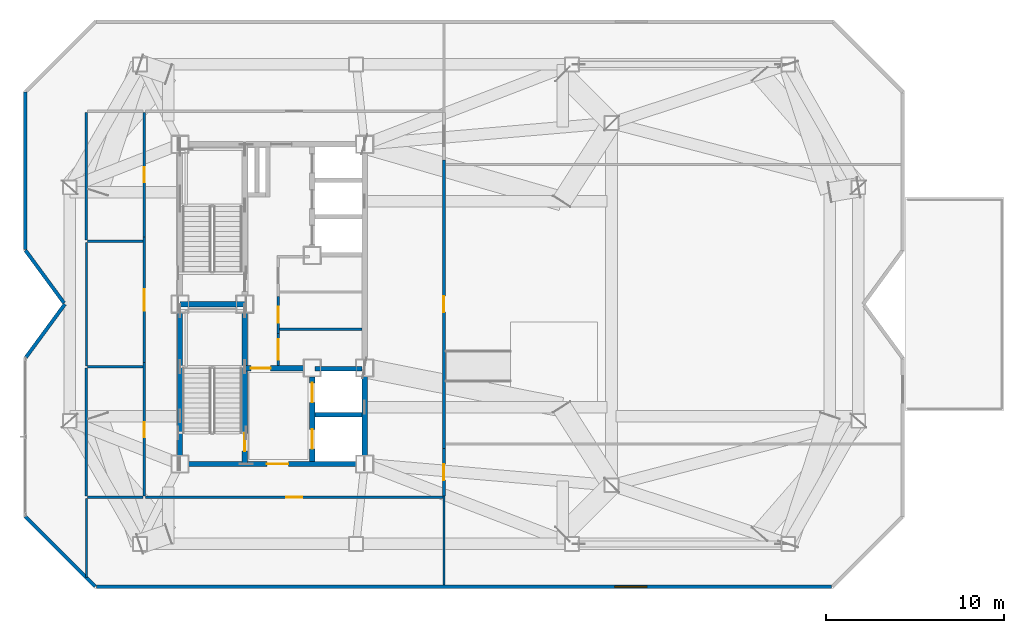
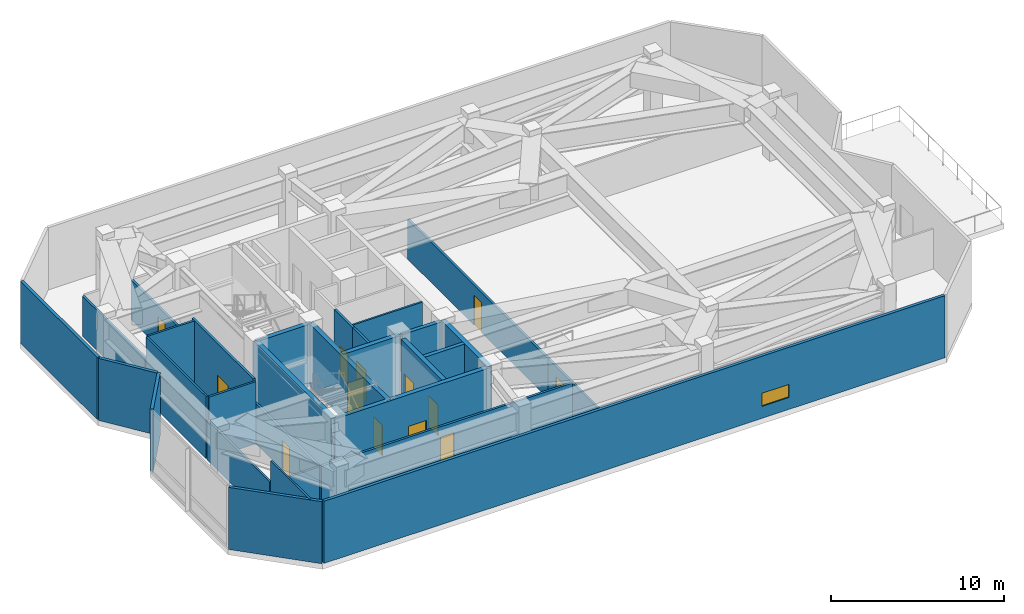
# One storey, part 7 of 11: 31 walls, 13 doors, 1 window, 14 openings.
"""IFC4 building model written with IfcOpenShell, lengths in metres."""

from ifc_helpers import new_model, si_unit, direction, frame, frame_2d, origin, place, context, subcontext, project, spatial, rectangle, extrude, material, layer, layer_set, type_object, element, fill, save


model = new_model("IFC4")

# Units and contexts
model_context = context("Model", 3, precision=1e-05, world=origin(), true_north=direction((0.0, 1.0)))
body_context = subcontext(model_context, "Body", "Model", "MODEL_VIEW")
ifc_project = project(units=[si_unit("LENGTHUNIT", "METRE"), si_unit("AREAUNIT", "SQUARE_METRE"), si_unit("VOLUMEUNIT", "CUBIC_METRE"), si_unit("PLANEANGLEUNIT", "RADIAN"), si_unit("MASSUNIT", "GRAM", prefix="KILO")], contexts=[model_context])

# Site, building, storey
site_placement = place(None, origin())
site = spatial("IfcSite", under=ifc_project, at=site_placement, CompositionType="ELEMENT")
building_placement = place(site_placement, origin())
building = spatial("IfcBuilding", under=site, at=building_placement, Name="Khamvora Tower", CompositionType="ELEMENT")
storey_placement = place(building_placement, frame((0.0, 0.0, 264.64990234375)))
storey = spatial("IfcBuildingStorey", under=building, at=storey_placement, Name="L68", CompositionType="ELEMENT", Elevation=264.64990234375)

# Wall
ifc_material_1 = material(Name="Concrete C50/60", Category="concrete")
ifc_layer_1 = layer(ifc_material_1, 0.300048828125)
ifc_layer_set_1 = layer_set([ifc_layer_1], Name="Concrete C50/60")
wall_type_1 = type_object("IfcWallType", Name="WAL-CORE-300", PredefinedType="SHEAR", material=ifc_layer_set_1)
wall_1_placement = place(storey_placement, frame((29.0, 19.0, 0.0), z_axis=(0.0, 0.0, 1.0), x_axis=(0.0, 1.0, 0.0)))
element("IfcWall", 1, at=wall_1_placement, inside=storey, type_object=wall_type_1, Name="L68 central core west south wall", PredefinedType="SHEAR", context=body_context, shape_type="SweptSolid", body=[
    extrude(rectangle(XDim=9.0, YDim=0.300048828125, at=frame_2d((4.5, 0.0))), origin(), (0.0, 0.0, 1.0), 4.380126953125),
])

# Wall, opening, door
wall_2_placement = place(storey_placement, frame((29.0, 19.0, 0.0), z_axis=(0.0, 0.0, 1.0), x_axis=(1.0, 0.0, 0.0)))
wall_2 = element("IfcWall", 2, at=wall_2_placement, inside=storey, type_object=wall_type_1, Name="L68 central core south wall", PredefinedType="SHEAR", context=body_context, shape_type="SweptSolid", body=[
    extrude(rectangle(XDim=10.39990234375, YDim=0.300048828125, at=frame_2d((5.199951171875, 0.0))), origin(), (0.0, 0.0, 1.0), 4.380126953125),
])
opening_1_placement = place(wall_2_placement, frame((4.89990234375, 0.0, 0.0)))
opening_1 = element("IfcOpeningElement", 3, at=opening_1_placement, cuts=wall_2, Name="Opening D-CR1", PredefinedType="OPENING", context=body_context, shape_type="SweptSolid", body=[
    extrude(rectangle(XDim=1.199951171875, YDim=2.14990234375, at=frame_2d((0.60009765625, 1.074951171875))), frame((0.0, 0.159912109375, 0.0), z_axis=(0.0, -1.0, 0.0), x_axis=(1.0, 0.0, 0.0)), (0.0, 0.0, 1.0), 0.320068359375),
])
ifc_material_2 = material(Name="Powder-Coated Steel and Hardwood Leaf", Category="steel")
door_type_1 = type_object("IfcDoorType", Name="DOR-CORR-1200", OperationType="NOTDEFINED", PredefinedType="DOOR", material=ifc_material_2)
door_1_placement = place(opening_1_placement, origin())
door_1 = element("IfcDoor", 4, at=door_1_placement, inside=storey, type_object=door_type_1, Name="L68 south core lobby to corridor fire door", OperationType="SINGLE_SWING_RIGHT", OverallHeight=2.14990234375, OverallWidth=1.199951171875, PredefinedType="DOOR", context=body_context, shape_type="SweptSolid", body=[
    extrude(rectangle(XDim=1.199951171875, YDim=2.14990234375, at=frame_2d((0.60009765625, 1.074951171875))), frame((0.0, 0.02490234375, 0.0), z_axis=(0.0, -1.0, 0.0), x_axis=(1.0, 0.0, 0.0)), (0.0, 0.0, 1.0), 0.050048828125),
])
fill(opening_1, door_1)

# Wall
wall_3_placement = place(storey_placement, frame((39.39990234375, 19.0, 0.0), z_axis=(0.0, 0.0, 1.0), x_axis=(0.0, 1.0, 0.0)))
element("IfcWall", 5, at=wall_3_placement, inside=storey, type_object=wall_type_1, Name="L68 central core east south wall", PredefinedType="SHEAR", context=body_context, shape_type="SweptSolid", body=[
    extrude(rectangle(XDim=5.39990234375, YDim=0.300048828125, at=frame_2d((2.699951171875, 0.0))), origin(), (0.0, 0.0, 1.0), 4.380126953125),
])

# Wall, opening, door
wall_4_placement = place(storey_placement, frame((32.64990234375, 19.0, 0.0), z_axis=(0.0, 0.0, 1.0), x_axis=(0.0, 1.0, 0.0)))
wall_4 = element("IfcWall", 6, at=wall_4_placement, inside=storey, type_object=wall_type_1, Name="L68 central core stair south spine wall", PredefinedType="SHEAR", context=body_context, shape_type="SweptSolid", body=[
    extrude(rectangle(XDim=9.0, YDim=0.300048828125, at=frame_2d((4.5, 0.0))), origin(), (0.0, 0.0, 1.0), 4.380126953125),
])
opening_2_placement = place(wall_4_placement, frame((0.719970703125, 0.0, 0.0)))
opening_2 = element("IfcOpeningElement", 7, at=opening_2_placement, cuts=wall_4, Name="Opening D-ST1", PredefinedType="OPENING", context=body_context, shape_type="SweptSolid", body=[
    extrude(rectangle(XDim=1.0, YDim=2.14990234375, at=frame_2d((0.5, 1.074951171875))), frame((0.0, 0.159912109375, 0.0), z_axis=(0.0, -1.0, 0.0), x_axis=(1.0, 0.0, 0.0)), (0.0, 0.0, 1.0), 0.320068359375),
])
door_type_2 = type_object("IfcDoorType", Name="DOR-STAIR-1000", OperationType="NOTDEFINED", PredefinedType="DOOR", material=ifc_material_2)
door_2_placement = place(opening_2_placement, origin())
door_2 = element("IfcDoor", 8, at=door_2_placement, inside=storey, type_object=door_type_2, Name="L68 exit stair ST-01 fire door", OperationType="SINGLE_SWING_RIGHT", OverallHeight=2.14990234375, OverallWidth=1.0, PredefinedType="DOOR", context=body_context, shape_type="SweptSolid", body=[
    extrude(rectangle(XDim=1.0, YDim=2.14990234375, at=frame_2d((0.5, 1.074951171875))), frame((0.0, 0.02490234375, 0.0), z_axis=(0.0, -1.0, 0.0), x_axis=(1.0, 0.0, 0.0)), (0.0, 0.0, 1.0), 0.050048828125),
])
fill(opening_2, door_2)

# Wall
wall_5_placement = place(storey_placement, frame((29.0, 28.0, 0.0), z_axis=(0.0, 0.0, 1.0), x_axis=(1.0, 0.0, 0.0)))
element("IfcWall", 9, at=wall_5_placement, inside=storey, type_object=wall_type_1, Name="L68 central core stair cross wall", PredefinedType="SHEAR", context=body_context, shape_type="SweptSolid", body=[
    extrude(rectangle(XDim=3.64990234375, YDim=0.300048828125, at=frame_2d((1.824951171875, 0.0))), origin(), (0.0, 0.0, 1.0), 4.380126953125),
])

# Wall, opening, door
wall_6_placement = place(storey_placement, frame((32.64990234375, 24.39990234375, 0.0), z_axis=(0.0, 0.0, 1.0), x_axis=(1.0, 0.0, 0.0)))
wall_6 = element("IfcWall", 10, at=wall_6_placement, inside=storey, type_object=wall_type_1, Name="L68 central core firefighting lobby north wall", PredefinedType="SHEAR", context=body_context, shape_type="SweptSolid", body=[
    extrude(rectangle(XDim=3.800048828125, YDim=0.300048828125, at=frame_2d((1.89990234375, 0.0))), origin(), (0.0, 0.0, 1.0), 4.380126953125),
])
opening_3_placement = place(wall_6_placement, frame((0.35009765625, 0.0, 0.0)))
opening_3 = element("IfcOpeningElement", 11, at=opening_3_placement, cuts=wall_6, Name="Opening D-FF1", PredefinedType="OPENING", context=body_context, shape_type="SweptSolid", body=[
    extrude(rectangle(XDim=1.10009765625, YDim=2.14990234375, at=frame_2d((0.550048828125, 1.074951171875))), frame((0.0, 0.159912109375, 0.0), z_axis=(0.0, -1.0, 0.0), x_axis=(1.0, 0.0, 0.0)), (0.0, 0.0, 1.0), 0.320068359375),
])
door_type_3 = type_object("IfcDoorType", Name="DOR-FFLOB-1100", OperationType="NOTDEFINED", PredefinedType="DOOR", material=ifc_material_2)
door_3_placement = place(opening_3_placement, origin())
door_3 = element("IfcDoor", 12, at=door_3_placement, inside=storey, type_object=door_type_3, Name="L68 firefighting lobby smoke-seal fire door", OperationType="SINGLE_SWING_LEFT", OverallHeight=2.14990234375, OverallWidth=1.10009765625, PredefinedType="DOOR", context=body_context, shape_type="SweptSolid", body=[
    extrude(rectangle(XDim=1.10009765625, YDim=2.14990234375, at=frame_2d((0.550048828125, 1.074951171875))), frame((0.0, 0.02490234375, 0.0), z_axis=(0.0, -1.0, 0.0), x_axis=(1.0, 0.0, 0.0)), (0.0, 0.0, 1.0), 0.050048828125),
])
fill(opening_3, door_3)

# Wall, openings, doors
wall_7_placement = place(storey_placement, frame((36.449951171875, 19.154052734375, 0.0), z_axis=(0.0, 0.0, 1.0), x_axis=(0.0, 1.0, 0.0)))
wall_7 = element("IfcWall", 13, at=wall_7_placement, inside=storey, type_object=wall_type_1, Name="L68 central core lift bank south wall", PredefinedType="SHEAR", context=body_context, shape_type="SweptSolid", body=[
    extrude(rectangle(XDim=4.745849609375, YDim=0.300048828125, at=frame_2d((2.373046875, 0.0))), origin(), (0.0, 0.0, 1.0), 4.380126953125),
])
opening_4_placement = place(wall_7_placement, frame((0.696044921875, 0.0, 0.0)))
opening_4 = element("IfcOpeningElement", 14, at=opening_4_placement, cuts=wall_7, Name="Opening LD-FFL", PredefinedType="OPENING", context=body_context, shape_type="SweptSolid", body=[
    extrude(rectangle(XDim=1.10009765625, YDim=2.14990234375, at=frame_2d((0.550048828125, 1.074951171875))), frame((0.0, 0.159912109375, 0.0), z_axis=(0.0, -1.0, 0.0), x_axis=(1.0, 0.0, 0.0)), (0.0, 0.0, 1.0), 0.320068359375),
])
opening_5_placement = place(wall_7_placement, frame((3.31591796875, 0.0, 0.0)))
opening_5 = element("IfcOpeningElement", 15, at=opening_5_placement, cuts=wall_7, Name="Opening LD-FFL", PredefinedType="OPENING", context=body_context, shape_type="SweptSolid", body=[
    extrude(rectangle(XDim=1.10009765625, YDim=2.14990234375, at=frame_2d((0.550048828125, 1.074951171875))), frame((0.0, 0.159912109375, 0.0), z_axis=(0.0, -1.0, 0.0), x_axis=(1.0, 0.0, 0.0)), (0.0, 0.0, 1.0), 0.320068359375),
])
door_type_4 = type_object("IfcDoorType", Name="DOR-LIFT-1100", OperationType="SLIDING_TO_LEFT", PredefinedType="DOOR", material=ifc_material_2)
door_4_placement = place(opening_4_placement, origin())
door_4 = element("IfcDoor", 16, at=door_4_placement, inside=storey, type_object=door_type_4, Name="L68 lift landing sliding door FFL-01", OperationType="SLIDING_TO_LEFT", OverallHeight=2.14990234375, OverallWidth=1.10009765625, PredefinedType="DOOR", context=body_context, shape_type="SweptSolid", body=[
    extrude(rectangle(XDim=1.10009765625, YDim=2.14990234375, at=frame_2d((0.550048828125, 1.074951171875))), frame((0.0, 0.02490234375, 0.0), z_axis=(0.0, -1.0, 0.0), x_axis=(1.0, 0.0, 0.0)), (0.0, 0.0, 1.0), 0.050048828125),
])
fill(opening_4, door_4)
door_5_placement = place(opening_5_placement, origin())
door_5 = element("IfcDoor", 17, at=door_5_placement, inside=storey, type_object=door_type_4, Name="L68 lift landing sliding door FFL-02", OperationType="SLIDING_TO_LEFT", OverallHeight=2.14990234375, OverallWidth=1.10009765625, PredefinedType="DOOR", context=body_context, shape_type="SweptSolid", body=[
    extrude(rectangle(XDim=1.10009765625, YDim=2.14990234375, at=frame_2d((0.550048828125, 1.074951171875))), frame((0.0, 0.02490234375, 0.0), z_axis=(0.0, -1.0, 0.0), x_axis=(1.0, 0.0, 0.0)), (0.0, 0.0, 1.0), 0.050048828125),
])
fill(opening_5, door_5)

# Wall, opening, door
ifc_material_3 = material(Name="Fire-Rated Drywall and Steel Stud", Category="steel")
ifc_layer_2 = layer(ifc_material_3, 0.14990234375)
ifc_layer_set_2 = layer_set([ifc_layer_2], Name="Fire-Rated Drywall and Steel Stud")
wall_type_2 = type_object("IfcWallType", Name="WAL-CORR-150", PredefinedType="STANDARD", material=ifc_layer_set_2)
wall_8_placement = place(storey_placement, frame((34.544921875, 28.43603515625, 0.0), z_axis=(0.0, 0.0, 1.0), x_axis=(0.0, -1.0, 0.0)))
wall_8 = element("IfcWall", 18, at=wall_8_placement, inside=storey, type_object=wall_type_2, Name="L68 interior partition wall 003", PredefinedType="STANDARD", context=body_context, shape_type="SweptSolid", body=[
    extrude(rectangle(XDim=2.10009765625, YDim=0.14990234375, at=frame_2d((1.050048828125, 0.0))), origin(), (0.0, 0.0, 1.0), 4.380126953125),
])
opening_6_placement = place(wall_8_placement, frame((0.5791015625, 0.0, 0.0)))
opening_6 = element("IfcOpeningElement", 19, at=opening_6_placement, cuts=wall_8, Name="Opening D-RM1", PredefinedType="OPENING", context=body_context, shape_type="SweptSolid", body=[
    extrude(rectangle(XDim=0.89990234375, YDim=2.10009765625, at=frame_2d((0.449951171875, 1.050048828125))), frame((0.0, 0.0849609375, 0.0), z_axis=(0.0, -1.0, 0.0), x_axis=(1.0, 0.0, 0.0)), (0.0, 0.0, 1.0), 0.169921875),
])
door_type_5 = type_object("IfcDoorType", Name="DOR-ROOM-900", OperationType="NOTDEFINED", PredefinedType="DOOR", material=ifc_material_2)
door_6_placement = place(opening_6_placement, origin())
door_6 = element("IfcDoor", 20, at=door_6_placement, inside=storey, type_object=door_type_5, Name="L68 interior door PHL-CS2", OperationType="SINGLE_SWING_LEFT", OverallHeight=2.10009765625, OverallWidth=0.89990234375, PredefinedType="DOOR", context=body_context, shape_type="SweptSolid", body=[
    extrude(rectangle(XDim=0.89990234375, YDim=2.10009765625, at=frame_2d((0.449951171875, 1.050048828125))), frame((0.0, 0.02490234375, 0.0), z_axis=(0.0, -1.0, 0.0), x_axis=(1.0, 0.0, 0.0)), (0.0, 0.0, 1.0), 0.050048828125),
])
fill(opening_6, door_6)

wall_9_placement = place(storey_placement, frame((34.544921875, 26.3359375, 0.0), z_axis=(0.0, 0.0, 1.0), x_axis=(0.0, -1.0, 0.0)))
wall_9 = element("IfcWall", 21, at=wall_9_placement, inside=storey, type_object=wall_type_2, Name="L68 interior partition wall 004", PredefinedType="STANDARD", context=body_context, shape_type="SweptSolid", body=[
    extrude(rectangle(XDim=1.7919921875, YDim=0.14990234375, at=frame_2d((0.89599609375, 0.0))), origin(), (0.0, 0.0, 1.0), 4.380126953125),
])
opening_7_placement = place(wall_9_placement, frame((0.321044921875, 0.0, 0.0)))
opening_7 = element("IfcOpeningElement", 22, at=opening_7_placement, cuts=wall_9, Name="Opening D-SC1", PredefinedType="OPENING", context=body_context, shape_type="SweptSolid", body=[
    extrude(rectangle(XDim=1.14990234375, YDim=2.199951171875, at=frame_2d((0.574951171875, 1.10009765625))), frame((0.0, 0.0849609375, 0.0), z_axis=(0.0, -1.0, 0.0), x_axis=(1.0, 0.0, 0.0)), (0.0, 0.0, 1.0), 0.169921875),
])
door_type_6 = type_object("IfcDoorType", Name="DOR-SCHL-1150", OperationType="NOTDEFINED", PredefinedType="DOOR", material=ifc_material_2)
door_7_placement = place(opening_7_placement, origin())
door_7 = element("IfcDoor", 23, at=door_7_placement, inside=storey, type_object=door_type_6, Name="L68 interior door PHL-CS3", OperationType="SINGLE_SWING_RIGHT", OverallHeight=2.199951171875, OverallWidth=1.14990234375, PredefinedType="DOOR", context=body_context, shape_type="SweptSolid", body=[
    extrude(rectangle(XDim=1.14990234375, YDim=2.199951171875, at=frame_2d((0.574951171875, 1.10009765625))), frame((0.0, 0.02490234375, 0.0), z_axis=(0.0, -1.0, 0.0), x_axis=(1.0, 0.0, 0.0)), (0.0, 0.0, 1.0), 0.050048828125),
])
fill(opening_7, door_7)

wall_10_placement = place(storey_placement, frame((43.864990234375, 36.114013671875, 0.0), z_axis=(0.0, 0.0, 1.0), x_axis=(0.0, -1.0, 0.0)))
wall_10 = element("IfcWall", 24, at=wall_10_placement, inside=storey, type_object=wall_type_2, Name="L68 interior partition wall 007", PredefinedType="STANDARD", context=body_context, shape_type="SweptSolid", body=[
    extrude(rectangle(XDim=16.22802734375, YDim=0.14990234375, at=frame_2d((8.114013671875, 0.0))), origin(), (0.0, 0.0, 1.0), 2.820068359375),
])
opening_8_placement = place(wall_10_placement, frame((7.6640625, 0.0, 0.0)))
opening_8 = element("IfcOpeningElement", 25, at=opening_8_placement, cuts=wall_10, Name="Opening D-RM1", PredefinedType="OPENING", context=body_context, shape_type="SweptSolid", body=[
    extrude(rectangle(XDim=0.89990234375, YDim=2.10009765625, at=frame_2d((0.449951171875, 1.050048828125))), frame((0.0, 0.0849609375, 0.0), z_axis=(0.0, -1.0, 0.0), x_axis=(1.0, 0.0, 0.0)), (0.0, 0.0, 1.0), 0.169921875),
])
door_8_placement = place(opening_8_placement, origin())
door_8 = element("IfcDoor", 26, at=door_8_placement, inside=storey, type_object=door_type_5, Name="L68 interior door SCOR-PLNG", OperationType="SINGLE_SWING_LEFT", OverallHeight=2.10009765625, OverallWidth=0.89990234375, PredefinedType="DOOR", context=body_context, shape_type="SweptSolid", body=[
    extrude(rectangle(XDim=0.89990234375, YDim=2.10009765625, at=frame_2d((0.449951171875, 1.050048828125))), frame((0.0, 0.02490234375, 0.0), z_axis=(0.0, -1.0, 0.0), x_axis=(1.0, 0.0, 0.0)), (0.0, 0.0, 1.0), 0.050048828125),
])
fill(opening_8, door_8)

wall_11_placement = place(storey_placement, frame((43.864990234375, 19.885986328125, 0.0), z_axis=(0.0, 0.0, 1.0), x_axis=(0.0, -1.0, 0.0)))
wall_11 = element("IfcWall", 27, at=wall_11_placement, inside=storey, type_object=wall_type_2, Name="L68 interior partition wall 008", PredefinedType="STANDARD", context=body_context, shape_type="SweptSolid", body=[
    extrude(rectangle(XDim=2.68603515625, YDim=0.14990234375, at=frame_2d((1.343017578125, 0.0))), origin(), (0.0, 0.0, 1.0), 2.820068359375),
])
opening_9_placement = place(wall_11_placement, frame((0.89306640625, 0.0, 0.0)))
opening_9 = element("IfcOpeningElement", 28, at=opening_9_placement, cuts=wall_11, Name="Opening D-RM1", PredefinedType="OPENING", context=body_context, shape_type="SweptSolid", body=[
    extrude(rectangle(XDim=0.89990234375, YDim=2.10009765625, at=frame_2d((0.449951171875, 1.050048828125))), frame((0.0, 0.0849609375, 0.0), z_axis=(0.0, -1.0, 0.0), x_axis=(1.0, 0.0, 0.0)), (0.0, 0.0, 1.0), 0.169921875),
])
door_9_placement = place(opening_9_placement, origin())
door_9 = element("IfcDoor", 29, at=door_9_placement, inside=storey, type_object=door_type_5, Name="L68 interior door SCOR-SPAW", OperationType="SINGLE_SWING_RIGHT", OverallHeight=2.10009765625, OverallWidth=0.89990234375, PredefinedType="DOOR", context=body_context, shape_type="SweptSolid", body=[
    extrude(rectangle(XDim=0.89990234375, YDim=2.10009765625, at=frame_2d((0.449951171875, 1.050048828125))), frame((0.0, 0.02490234375, 0.0), z_axis=(0.0, -1.0, 0.0), x_axis=(1.0, 0.0, 0.0)), (0.0, 0.0, 1.0), 0.050048828125),
])
fill(opening_9, door_9)

wall_12_placement = place(storey_placement, frame((26.985107421875, 17.199951171875, 0.0), z_axis=(0.0, 0.0, 1.0), x_axis=(0.0, 1.0, 0.0)))
wall_12 = element("IfcWall", 30, at=wall_12_placement, inside=storey, type_object=wall_type_2, Name="L68 interior partition wall 010", PredefinedType="STANDARD", context=body_context, shape_type="SweptSolid", body=[
    extrude(rectangle(XDim=7.51416015625, YDim=0.14990234375, at=frame_2d((3.757080078125, 0.0))), origin(), (0.0, 0.0, 1.0), 2.820068359375),
])
opening_10_placement = place(wall_12_placement, frame((3.31103515625, 0.0, 0.0)))
opening_10 = element("IfcOpeningElement", 31, at=opening_10_placement, cuts=wall_12, Name="Opening D-WC1", PredefinedType="OPENING", context=body_context, shape_type="SweptSolid", body=[
    extrude(rectangle(XDim=0.85009765625, YDim=2.10009765625, at=frame_2d((0.425048828125, 1.050048828125))), frame((0.0, 0.0849609375, 0.0), z_axis=(0.0, -1.0, 0.0), x_axis=(1.0, 0.0, 0.0)), (0.0, 0.0, 1.0), 0.169921875),
])
door_type_7 = type_object("IfcDoorType", Name="DOR-WET-850", OperationType="NOTDEFINED", PredefinedType="DOOR", material=ifc_material_2)
door_10_placement = place(opening_10_placement, origin())
door_10 = element("IfcDoor", 32, at=door_10_placement, inside=storey, type_object=door_type_7, Name="L68 interior door SCOR-CHGM", OperationType="SINGLE_SWING_RIGHT", OverallHeight=2.10009765625, OverallWidth=0.85009765625, PredefinedType="DOOR", context=body_context, shape_type="SweptSolid", body=[
    extrude(rectangle(XDim=0.85009765625, YDim=2.10009765625, at=frame_2d((0.425048828125, 1.050048828125))), frame((0.0, 0.02490234375, 0.0), z_axis=(0.0, -1.0, 0.0), x_axis=(1.0, 0.0, 0.0)), (0.0, 0.0, 1.0), 0.050048828125),
])
fill(opening_10, door_10)

wall_13_placement = place(storey_placement, frame((26.985107421875, 24.714111328125, 0.0), z_axis=(0.0, 0.0, 1.0), x_axis=(0.0, 1.0, 0.0)))
wall_13 = element("IfcWall", 33, at=wall_13_placement, inside=storey, type_object=wall_type_2, Name="L68 interior partition wall 011", PredefinedType="STANDARD", context=body_context, shape_type="SweptSolid", body=[
    extrude(rectangle(XDim=7.06982421875, YDim=0.14990234375, at=frame_2d((3.534912109375, 0.0))), origin(), (0.0, 0.0, 1.0), 4.380126953125),
])
opening_11_placement = place(wall_13_placement, frame((2.9140625, 0.0, 0.0)))
opening_11 = element("IfcOpeningElement", 34, at=opening_11_placement, cuts=wall_13, Name="Opening D-PL1", PredefinedType="OPENING", context=body_context, shape_type="SweptSolid", body=[
    extrude(rectangle(XDim=1.199951171875, YDim=2.14990234375, at=frame_2d((0.60009765625, 1.074951171875))), frame((0.0, 0.0849609375, 0.0), z_axis=(0.0, -1.0, 0.0), x_axis=(1.0, 0.0, 0.0)), (0.0, 0.0, 1.0), 0.169921875),
])
door_type_8 = type_object("IfcDoorType", Name="DOR-PLNT-1200", OperationType="NOTDEFINED", PredefinedType="DOOR", material=ifc_material_2)
door_11_placement = place(opening_11_placement, origin())
door_11 = element("IfcDoor", 35, at=door_11_placement, inside=storey, type_object=door_type_8, Name="L68 interior door SCOR-PFLT", OperationType="SINGLE_SWING_LEFT", OverallHeight=2.14990234375, OverallWidth=1.199951171875, PredefinedType="DOOR", context=body_context, shape_type="SweptSolid", body=[
    extrude(rectangle(XDim=1.199951171875, YDim=2.14990234375, at=frame_2d((0.60009765625, 1.074951171875))), frame((0.0, 0.02490234375, 0.0), z_axis=(0.0, -1.0, 0.0), x_axis=(1.0, 0.0, 0.0)), (0.0, 0.0, 1.0), 0.050048828125),
])
fill(opening_11, door_11)

wall_14_placement = place(storey_placement, frame((26.985107421875, 31.783935546875, 0.0), z_axis=(0.0, 0.0, 1.0), x_axis=(0.0, 1.0, 0.0)))
wall_14 = element("IfcWall", 36, at=wall_14_placement, inside=storey, type_object=wall_type_2, Name="L68 interior partition wall 012", PredefinedType="STANDARD", context=body_context, shape_type="SweptSolid", body=[
    extrude(rectangle(XDim=7.01611328125, YDim=0.14990234375, at=frame_2d((3.508056640625, 0.0))), origin(), (0.0, 0.0, 1.0), 2.820068359375),
])
opening_12_placement = place(wall_14_placement, frame((3.0830078125, 0.0, 0.0)))
opening_12 = element("IfcOpeningElement", 37, at=opening_12_placement, cuts=wall_14, Name="Opening D-WC1", PredefinedType="OPENING", context=body_context, shape_type="SweptSolid", body=[
    extrude(rectangle(XDim=0.85009765625, YDim=2.10009765625, at=frame_2d((0.425048828125, 1.050048828125))), frame((0.0, 0.0849609375, 0.0), z_axis=(0.0, -1.0, 0.0), x_axis=(1.0, 0.0, 0.0)), (0.0, 0.0, 1.0), 0.169921875),
])
door_12_placement = place(opening_12_placement, origin())
door_12 = element("IfcDoor", 38, at=door_12_placement, inside=storey, type_object=door_type_7, Name="L68 interior door SCOR-CHGF", OperationType="SINGLE_SWING_RIGHT", OverallHeight=2.10009765625, OverallWidth=0.85009765625, PredefinedType="DOOR", context=body_context, shape_type="SweptSolid", body=[
    extrude(rectangle(XDim=0.85009765625, YDim=2.10009765625, at=frame_2d((0.425048828125, 1.050048828125))), frame((0.0, 0.02490234375, 0.0), z_axis=(0.0, -1.0, 0.0), x_axis=(1.0, 0.0, 0.0)), (0.0, 0.0, 1.0), 0.050048828125),
])
fill(opening_12, door_12)

wall_15_placement = place(storey_placement, frame((43.800048828125, 17.135009765625, 0.0), z_axis=(0.0, 0.0, 1.0), x_axis=(-1.0, 0.0, 0.0)))
wall_15 = element("IfcWall", 39, at=wall_15_placement, inside=storey, type_object=wall_type_2, Name="L68 interior partition wall 013", PredefinedType="STANDARD", context=body_context, shape_type="SweptSolid", body=[
    extrude(rectangle(XDim=16.75, YDim=0.14990234375, at=frame_2d((8.375, 0.0))), origin(), (0.0, 0.0, 1.0), 2.820068359375),
])
opening_13_placement = place(wall_15_placement, frame((7.925048828125, 0.0, 0.0)))
opening_13 = element("IfcOpeningElement", 40, at=opening_13_placement, cuts=wall_15, Name="Opening D-RM1", PredefinedType="OPENING", context=body_context, shape_type="SweptSolid", body=[
    extrude(rectangle(XDim=0.89990234375, YDim=2.10009765625, at=frame_2d((0.449951171875, 1.050048828125))), frame((0.0, 0.0849609375, 0.0), z_axis=(0.0, -1.0, 0.0), x_axis=(1.0, 0.0, 0.0)), (0.0, 0.0, 1.0), 0.169921875),
])
door_13_placement = place(opening_13_placement, origin())
door_13 = element("IfcDoor", 41, at=door_13_placement, inside=storey, type_object=door_type_5, Name="L68 interior door SCOR-TWLS", OperationType="SINGLE_SWING_LEFT", OverallHeight=2.10009765625, OverallWidth=0.89990234375, PredefinedType="DOOR", context=body_context, shape_type="SweptSolid", body=[
    extrude(rectangle(XDim=0.89990234375, YDim=2.10009765625, at=frame_2d((0.449951171875, 1.050048828125))), frame((0.0, 0.02490234375, 0.0), z_axis=(0.0, -1.0, 0.0), x_axis=(1.0, 0.0, 0.0)), (0.0, 0.0, 1.0), 0.050048828125),
])
fill(opening_13, door_13)

# Walls
ifc_material_4 = material(Name="Precast concrete C40/50", Category="concrete")
ifc_layer_3 = layer(ifc_material_4, 0.199951171875)
ifc_layer_set_3 = layer_set([ifc_layer_3], Name="Precast concrete C40/50")
wall_type_3 = type_object("IfcWallType", Name="WAL-EXT-200", PredefinedType="STANDARD", material=ifc_layer_set_3)
wall_16_placement = place(storey_placement, frame((24.240966796875, 12.10009765625, 0.0), z_axis=(0.0, 0.0, 1.0), x_axis=(-0.707106781187, 0.707106781187, 0.0)))
element("IfcWall", 42, at=wall_16_placement, inside=storey, type_object=wall_type_3, Name="L68 exterior facade wall 01.1", PredefinedType="STANDARD", context=body_context, shape_type="SweptSolid", body=[
    extrude(rectangle(XDim=5.5732421875, YDim=0.199951171875, at=frame_2d((2.78662109375, 0.0))), origin(), (0.0, 0.0, 1.0), 4.380126953125),
])
wall_17_placement = place(storey_placement, frame((20.3291015625, 25.007080078125, 0.0), z_axis=(0.0, 0.0, 1.0), x_axis=(0.591366515379, 0.806402904564, 0.0)))
element("IfcWall", 43, at=wall_17_placement, inside=storey, type_object=wall_type_3, Name="L68 exterior facade wall 03.1", PredefinedType="STANDARD", context=body_context, shape_type="SweptSolid", body=[
    extrude(rectangle(XDim=3.71142578125, YDim=0.199951171875, at=frame_2d((1.855712890625, 0.0))), origin(), (0.0, 0.0, 1.0), 4.380126953125),
])
wall_18_placement = place(storey_placement, frame((22.472900390625, 28.069091796875, 0.0), z_axis=(0.0, 0.0, 1.0), x_axis=(-0.591248456881, 0.80648946815, 0.0)))
element("IfcWall", 44, at=wall_18_placement, inside=storey, type_object=wall_type_3, Name="L68 exterior facade wall 04.1", PredefinedType="STANDARD", context=body_context, shape_type="SweptSolid", body=[
    extrude(rectangle(XDim=3.675048828125, YDim=0.199951171875, at=frame_2d((1.83740234375, 0.0))), origin(), (0.0, 0.0, 1.0), 4.380126953125),
])
wall_19_placement = place(storey_placement, frame((20.300048828125, 31.083984375, 0.0), z_axis=(0.0, 0.0, 1.0), x_axis=(0.0, 1.0, 0.0)))
element("IfcWall", 45, at=wall_19_placement, inside=storey, type_object=wall_type_3, Name="L68 exterior facade wall 05.1", PredefinedType="STANDARD", context=body_context, shape_type="SweptSolid", body=[
    extrude(rectangle(XDim=8.875, YDim=0.199951171875, at=frame_2d((4.4375, 0.0))), origin(), (0.0, 0.0, 1.0), 4.380126953125),
])

# Wall, opening, window
wall_20_placement = place(storey_placement, frame((65.696044921875, 12.10009765625, 0.0), z_axis=(0.0, 0.0, 1.0), x_axis=(-1.0, 0.0, 0.0)))
wall_20 = element("IfcWall", 46, at=wall_20_placement, inside=storey, type_object=wall_type_3, Name="L68 exterior facade wall 14.1", PredefinedType="STANDARD", context=body_context, shape_type="SweptSolid", body=[
    extrude(rectangle(XDim=41.39306640625, YDim=0.199951171875, at=frame_2d((20.696533203125, 0.0))), origin(), (0.0, 0.0, 1.0), 4.380126953125),
])
opening_14_placement = place(wall_20_placement, frame((10.407958984375, 0.0, 0.85009765625)))
opening_14 = element("IfcOpeningElement", 47, at=opening_14_placement, cuts=wall_20, Name="Opening WN-09", PredefinedType="OPENING", context=body_context, shape_type="SweptSolid", body=[
    extrude(rectangle(XDim=1.800048828125, YDim=0.919921875, at=frame_2d((0.89990234375, 0.4599609375))), frame((0.0, 0.10986328125, 0.0), z_axis=(0.0, -1.0, 0.0), x_axis=(1.0, 0.0, 0.0)), (0.0, 0.0, 1.0), 0.219970703125),
])
ifc_material_5 = material(Name="Low-E Laminated Double Glazing", Category="glass")
window_type = type_object("IfcWindowType", Name="WIN-CLR-1800x920", PartitioningType="SINGLE_PANEL", PredefinedType="WINDOW", material=ifc_material_5)
window_placement = place(opening_14_placement, origin())
window = element("IfcWindow", 48, at=window_placement, inside=storey, type_object=window_type, Name="L68 vision window 14.1.01", OverallHeight=0.919921875, OverallWidth=1.800048828125, PartitioningType="SINGLE_PANEL", PredefinedType="WINDOW", context=body_context, shape_type="SweptSolid", body=[
    extrude(rectangle(XDim=1.800048828125, YDim=0.919921875, at=frame_2d((0.89990234375, 0.4599609375))), frame((0.0, 0.030029296875, 0.0), z_axis=(0.0, -1.0, 0.0), x_axis=(1.0, 0.0, 0.0)), (0.0, 0.0, 1.0), 0.06005859375),
])
fill(opening_14, window)

# Walls
ifc_material_6 = material(Name="Gypsum Plasterboard Partition", Category="gypsum")
ifc_layer_4 = layer(ifc_material_6, 0.1201171875)
ifc_layer_set_4 = layer_set([ifc_layer_4], Name="Gypsum Plasterboard Partition")
wall_type_4 = type_object("IfcWallType", Name="WAL-PART-120", PredefinedType="PARTITIONING", material=ifc_layer_set_4)
wall_21_placement = place(storey_placement, frame((39.256103515625, 26.5849609375, 0.0), z_axis=(0.0, 0.0, 1.0), x_axis=(-1.0, 0.0, 0.0)))
element("IfcWall", 49, at=wall_21_placement, inside=storey, type_object=wall_type_4, Name="L68 interior partition wall 006", PredefinedType="PARTITIONING", context=body_context, shape_type="SweptSolid", body=[
    extrude(rectangle(XDim=4.64404296875, YDim=0.1201171875, at=frame_2d((2.322021484375, 0.0))), origin(), (0.0, 0.0, 1.0), 4.380126953125),
])
wall_22_placement = place(storey_placement, frame((43.864990234375, 12.19189453125, 0.0), z_axis=(0.0, 0.0, 1.0), x_axis=(0.0, 1.0, 0.0)))
element("IfcWall", 50, at=wall_22_placement, inside=storey, type_object=wall_type_4, Name="L68 interior partition wall 017", PredefinedType="PARTITIONING", context=body_context, shape_type="SweptSolid", body=[
    extrude(rectangle(XDim=5.008056640625, YDim=0.1201171875, at=frame_2d((2.50390625, 0.0))), origin(), (0.0, 0.0, 1.0), 2.820068359375),
])
wall_23_placement = place(storey_placement, frame((23.735107421875, 24.530029296875, 0.0), z_axis=(0.0, 0.0, 1.0), x_axis=(0.0, 1.0, 0.0)))
element("IfcWall", 51, at=wall_23_placement, inside=storey, type_object=wall_type_4, Name="L68 interior partition wall 023", PredefinedType="PARTITIONING", context=body_context, shape_type="SweptSolid", body=[
    extrude(rectangle(XDim=6.93994140625, YDim=0.1201171875, at=frame_2d((3.469970703125, 0.0))), origin(), (0.0, 0.0, 1.0), 4.380126953125),
])
wall_24_placement = place(storey_placement, frame((23.735107421875, 12.613037109375, 0.0), z_axis=(0.0, 0.0, 1.0), x_axis=(0.0, 1.0, 0.0)))
element("IfcWall", 52, at=wall_24_placement, inside=storey, type_object=wall_type_4, Name="L68 interior partition wall 026", PredefinedType="PARTITIONING", context=body_context, shape_type="SweptSolid", body=[
    extrude(rectangle(XDim=4.45703125, YDim=0.1201171875, at=frame_2d((2.228515625, 0.0))), origin(), (0.0, 0.0, 1.0), 4.380126953125),
])
ifc_material_7 = material(Name="Concrete C40/50", Category="concrete")
ifc_layer_5 = layer(ifc_material_7, 0.25)
ifc_layer_set_5 = layer_set([ifc_layer_5], Name="Concrete C40/50")
wall_type_5 = type_object("IfcWallType", Name="WAL-PODS-250", PredefinedType="SHEAR", material=ifc_layer_set_5)
for number, where, z_axis, x_axis, name in (
    (53, (36.60400390625, 21.77490234375, 0.0), (0.0, 0.0, 1.0), (1.0, 0.0, 0.0), "L68 lift shaft divider wall FFL-01"),
    (54, (36.60400390625, 24.375, 0.0), (0.0, 0.0, 1.0), (1.0, 0.0, 0.0), "L68 lift shaft divider wall FFL-02"),
):
    element("IfcWall", number, at=place(storey_placement, frame(where, z_axis=z_axis, x_axis=x_axis)), inside=storey, type_object=wall_type_5, Name=name, PredefinedType="SHEAR", context=body_context, shape_type="SweptSolid", body=[
        extrude(rectangle(XDim=2.64208984375, YDim=0.25, at=frame_2d((1.321044921875, 0.0))), origin(), (0.0, 0.0, 1.0), 4.380126953125),
    ])
ifc_material_8 = material(Name="Moisture-Resistant Plasterboard Partition", Category="gypsum")
ifc_layer_6 = layer(ifc_material_8, 0.135009765625)
ifc_layer_set_6 = layer_set([ifc_layer_6], Name="Moisture-Resistant Plasterboard Partition")
wall_type_6 = type_object("IfcWallType", Name="WAL-WET-135", PredefinedType="PARTITIONING", material=ifc_layer_set_6)
wall_25_placement = place(storey_placement, frame((23.800048828125, 24.465087890625, 0.0), z_axis=(0.0, 0.0, 1.0), x_axis=(1.0, 0.0, 0.0)))
element("IfcWall", 55, at=wall_25_placement, inside=storey, type_object=wall_type_6, Name="L68 interior partition wall 019", PredefinedType="PARTITIONING", context=body_context, shape_type="SweptSolid", body=[
    extrude(rectangle(XDim=3.117919921875, YDim=0.135009765625, at=frame_2d((1.55908203125, 0.0))), origin(), (0.0, 0.0, 1.0), 4.380126953125),
])
wall_26_placement = place(storey_placement, frame((26.919921875, 17.135009765625, 0.0), z_axis=(0.0, 0.0, 1.0), x_axis=(-1.0, 0.0, 0.0)))
element("IfcWall", 56, at=wall_26_placement, inside=storey, type_object=wall_type_6, Name="L68 interior partition wall 020", PredefinedType="PARTITIONING", context=body_context, shape_type="SweptSolid", body=[
    extrude(rectangle(XDim=3.119873046875, YDim=0.135009765625, at=frame_2d((1.56005859375, 0.0))), origin(), (0.0, 0.0, 1.0), 2.820068359375),
])
wall_27_placement = place(storey_placement, frame((23.735107421875, 17.199951171875, 0.0), z_axis=(0.0, 0.0, 1.0), x_axis=(0.0, 1.0, 0.0)))
element("IfcWall", 57, at=wall_27_placement, inside=storey, type_object=wall_type_6, Name="L68 interior partition wall 021", PredefinedType="PARTITIONING", context=body_context, shape_type="SweptSolid", body=[
    extrude(rectangle(XDim=7.199951171875, YDim=0.135009765625, at=frame_2d((3.60009765625, 0.0))), origin(), (0.0, 0.0, 1.0), 2.820068359375),
])
wall_28_placement = place(storey_placement, frame((23.800048828125, 31.534912109375, 0.0), z_axis=(0.0, 0.0, 1.0), x_axis=(1.0, 0.0, 0.0)))
element("IfcWall", 58, at=wall_28_placement, inside=storey, type_object=wall_type_6, Name="L68 interior partition wall 022", PredefinedType="PARTITIONING", context=body_context, shape_type="SweptSolid", body=[
    extrude(rectangle(XDim=3.117919921875, YDim=0.135009765625, at=frame_2d((1.55908203125, 0.0))), origin(), (0.0, 0.0, 1.0), 4.380126953125),
])
wall_29_placement = place(storey_placement, frame((23.735107421875, 31.60009765625, 0.0), z_axis=(0.0, 0.0, 1.0), x_axis=(0.0, 1.0, 0.0)))
element("IfcWall", 59, at=wall_29_placement, inside=storey, type_object=wall_type_6, Name="L68 interior partition wall 025", PredefinedType="PARTITIONING", context=body_context, shape_type="SweptSolid", body=[
    extrude(rectangle(XDim=7.199951171875, YDim=0.135009765625, at=frame_2d((3.60009765625, 0.0))), origin(), (0.0, 0.0, 1.0), 2.820068359375),
])

save(model, "model.ifc")
